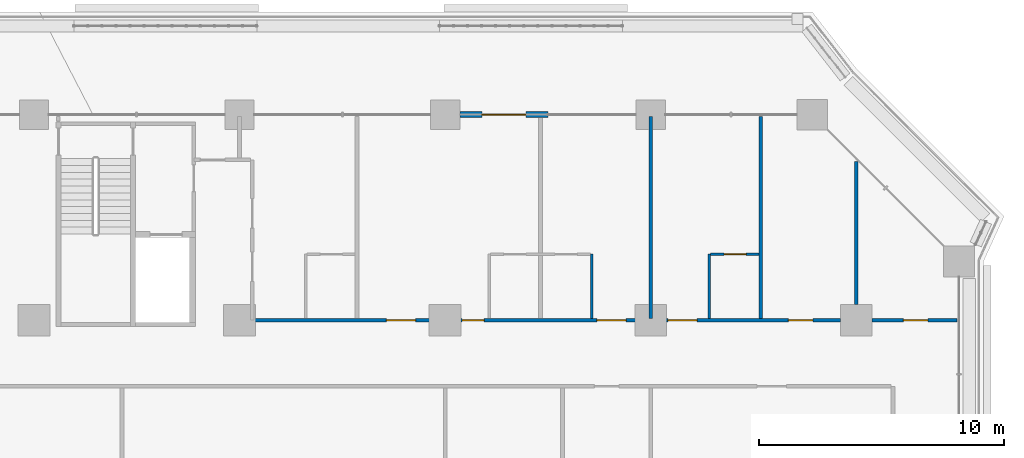
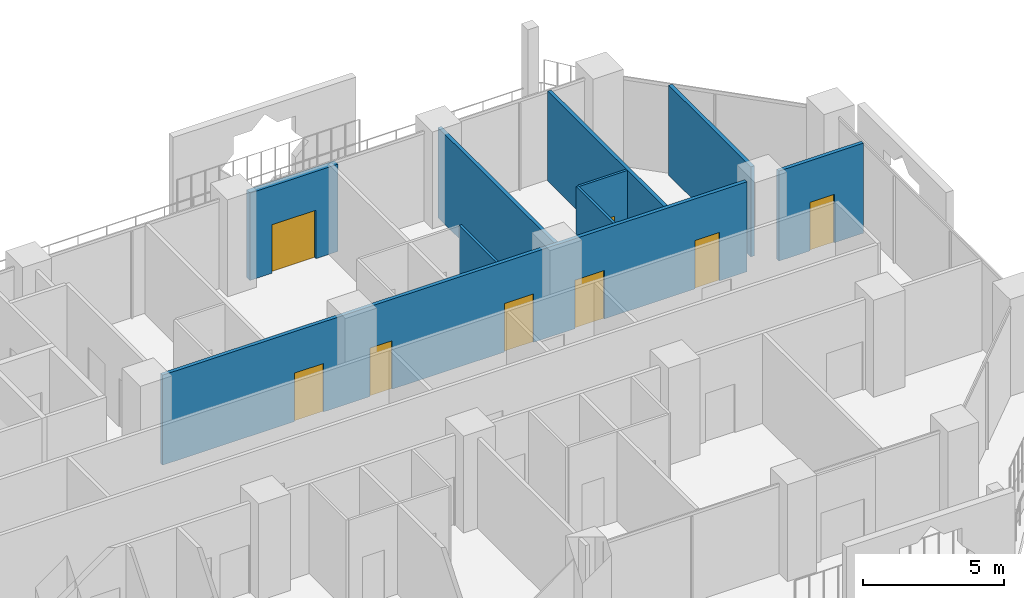
# One storey, part 19 of 28: 9 walls, 8 doors, 8 openings.
"""IFC4 building model written with IfcOpenShell, lengths in metres."""

from ifc_helpers import new_model, si_unit, direction, frame, frame_2d, origin, place, context, subcontext, project, spatial, rectangle, extrude, material, layer, layer_set, type_object, element, fill, save


model = new_model("IFC4")

# Units and contexts
model_context = context("Model", 3, precision=1e-05, world=origin(), true_north=direction((0.0, 1.0)))
body_context = subcontext(model_context, "Body", "Model", "MODEL_VIEW")
ifc_project = project(units=[si_unit("LENGTHUNIT", "METRE"), si_unit("AREAUNIT", "SQUARE_METRE"), si_unit("VOLUMEUNIT", "CUBIC_METRE"), si_unit("PLANEANGLEUNIT", "RADIAN"), si_unit("MASSUNIT", "GRAM", prefix="KILO")], contexts=[model_context])

# Site, building, storey
site_placement = place(None, origin())
site = spatial("IfcSite", under=ifc_project, at=site_placement, CompositionType="ELEMENT")
building_placement = place(site_placement, origin())
building = spatial("IfcBuilding", under=site, at=building_placement, Name="Kawkab Arch Medical Tower", CompositionType="ELEMENT")
storey_placement = place(building_placement, frame((0.0, 0.0, 77.0)))
storey = spatial("IfcBuildingStorey", under=building, at=storey_placement, Name="L17", CompositionType="ELEMENT", Elevation=77.0)

# Wall, opening, door
ifc_material_1 = material(Name="Bronze clad insulated wall panel")
ifc_layer_1 = layer(ifc_material_1, 0.25)
ifc_layer_set_1 = layer_set([ifc_layer_1], Name="Bronze clad insulated wall panel")
wall_type_1 = type_object("IfcWallType", Name="External wall bay 250", PredefinedType="SOLIDWALL", material=ifc_layer_set_1)
wall_1_placement = place(storey_placement, frame((63.0, 0.0, 0.0), z_axis=(0.0, 0.0, 1.0), x_axis=(-1.0, 0.0, 0.0)))
wall_1 = element("IfcWall", 1, at=wall_1_placement, inside=storey, type_object=wall_type_1, Name="External wall bay L17.R11.2.2", PredefinedType="SOLIDWALL", context=body_context, shape_type="SweptSolid", body=[
    extrude(rectangle(XDim=3.60009765625, YDim=0.25, at=frame_2d((1.800048828125, 0.0))), origin(), (0.0, 0.0, 1.0), 3.780029296875),
])
opening_1_placement = place(wall_1_placement, frame((0.89990234375, 0.0, 0.0)))
opening_1 = element("IfcOpeningElement", 2, at=opening_1_placement, cuts=wall_1, Name="Opening W12-702", PredefinedType="OPENING", context=body_context, shape_type="SweptSolid", body=[
    extrude(rectangle(XDim=1.800048828125, YDim=2.10009765625, at=frame_2d((0.89990234375, 1.050048828125))), frame((0.0, 0.135009765625, 0.0), z_axis=(0.0, -1.0, 0.0), x_axis=(1.0, 0.0, 0.0)), (0.0, 0.0, 1.0), 0.27001953125),
])
ifc_material_2 = material(Name="Bronze anodised aluminium door with tinted glass", Category="aluminium")
door_type_1 = type_object("IfcDoorType", Name="Double external door 1800 x 2100", OperationType="DOUBLE_DOOR_SINGLE_SWING", PredefinedType="DOOR", material=ifc_material_2)
door_1_placement = place(opening_1_placement, origin())
door_1 = element("IfcDoor", 3, at=door_1_placement, inside=storey, type_object=door_type_1, Name="External door L17.R11.2.2", OperationType="DOUBLE_DOOR_SINGLE_SWING", OverallHeight=2.10009765625, OverallWidth=1.800048828125, PredefinedType="DOOR", context=body_context, shape_type="SweptSolid", body=[
    extrude(rectangle(XDim=1.800048828125, YDim=2.10009765625, at=frame_2d((0.89990234375, 1.050048828125))), frame((0.0, 0.02490234375, 0.0), z_axis=(0.0, -1.0, 0.0), x_axis=(1.0, 0.0, 0.0)), (0.0, 0.0, 1.0), 0.050048828125),
])
fill(opening_1, door_1)

ifc_material_3 = material(Name="Gypsum board partition on steel studs", Category="steel")
ifc_layer_2 = layer(ifc_material_3, 0.10009765625)
ifc_layer_set_2 = layer_set([ifc_layer_2], Name="Gypsum board partition on steel studs")
wall_type_2 = type_object("IfcWallType", Name="Partition 100", PredefinedType="PARTITIONING", material=ifc_layer_set_2)
wall_2_placement = place(storey_placement, frame((69.64990234375, -5.699951171875, 0.0), z_axis=(0.0, 0.0, 1.0), x_axis=(1.0, 0.0, 0.0)))
wall_2 = element("IfcWall", 4, at=wall_2_placement, inside=storey, type_object=wall_type_2, Name="Partition 100 w018", PredefinedType="PARTITIONING", context=body_context, shape_type="SweptSolid", body=[
    extrude(rectangle(XDim=1.97509765625, YDim=0.10009765625, at=frame_2d((0.987548828125, 0.0))), origin(), (0.0, 0.0, 1.0), 3.89990234375),
])
opening_2_placement = place(wall_2_placement, frame((0.550048828125, 0.0, 0.0)))
opening_2 = element("IfcOpeningElement", 5, at=opening_2_placement, cuts=wall_2, Name="Opening W12-009", PredefinedType="OPENING", context=body_context, shape_type="SweptSolid", body=[
    extrude(rectangle(XDim=0.89990234375, YDim=2.10009765625, at=frame_2d((0.449951171875, 1.050048828125))), frame((0.0, 0.06005859375, 0.0), z_axis=(0.0, -1.0, 0.0), x_axis=(1.0, 0.0, 0.0)), (0.0, 0.0, 1.0), 0.1201171875),
])
ifc_material_4 = material(Name="Timber door leaf", Category="wood")
door_type_2 = type_object("IfcDoorType", Name="Single door 900x2100", OperationType="NOTDEFINED", PredefinedType="DOOR", material=ifc_material_4)
door_2_placement = place(opening_2_placement, origin())
door_2 = element("IfcDoor", 6, at=door_2_placement, inside=storey, type_object=door_type_2, Name="Door W12-009", OperationType="SINGLE_SWING_RIGHT", OverallHeight=2.10009765625, OverallWidth=0.89990234375, PredefinedType="DOOR", context=body_context, shape_type="SweptSolid", body=[
    extrude(rectangle(XDim=0.89990234375, YDim=2.10009765625, at=frame_2d((0.449951171875, 1.050048828125))), frame((0.0, 0.02490234375, 0.0), z_axis=(0.0, -1.0, 0.0), x_axis=(1.0, 0.0, 0.0)), (0.0, 0.0, 1.0), 0.050048828125),
])
fill(opening_2, door_2)

# Walls
for number, where, z_axis, x_axis, name in (
    (7, (64.800048828125, -8.324951171875, 0.0), (0.0, 0.0, 1.0), (0.0, 1.0, 0.0), "Partition 100 w035"),
    (8, (69.60009765625, -8.324951171875, 0.0), (0.0, 0.0, 1.0), (0.0, 1.0, 0.0), "Partition 100 w037"),
):
    element("IfcWall", number, at=place(storey_placement, frame(where, z_axis=z_axis, x_axis=x_axis)), inside=storey, type_object=wall_type_2, Name=name, PredefinedType="PARTITIONING", context=body_context, shape_type="SweptSolid", body=[
        extrude(rectangle(XDim=2.625, YDim=0.10009765625, at=frame_2d((1.3125, 0.0))), origin(), (0.0, 0.0, 1.0), 3.89990234375),
    ])

# Wall, openings, doors
ifc_material_5 = material(Name="Gypsum board partition on steel studs, mineral wool", Category="steel")
ifc_layer_3 = layer(ifc_material_5, 0.14990234375)
ifc_layer_set_3 = layer_set([ifc_layer_3], Name="Gypsum board partition on steel studs, mineral wool")
wall_type_3 = type_object("IfcWallType", Name="Partition 150", PredefinedType="PARTITIONING", material=ifc_layer_set_3)
wall_3_placement = place(storey_placement, frame((51.0, -8.39990234375, 0.0), z_axis=(0.0, 0.0, 1.0), x_axis=(1.0, 0.0, 0.0)))
wall_3 = element("IfcWall", 9, at=wall_3_placement, inside=storey, type_object=wall_type_3, Name="Partition 150 w067", PredefinedType="PARTITIONING", context=body_context, shape_type="SweptSolid", body=[
    extrude(rectangle(XDim=23.949951171875, YDim=0.14990234375, at=frame_2d((11.97509765625, 0.0))), origin(), (0.0, 0.0, 1.0), 3.89990234375),
])
opening_3_placement = place(wall_3_placement, frame((5.39990234375, 0.0, 0.0)))
opening_3 = element("IfcOpeningElement", 10, at=opening_3_placement, cuts=wall_3, Name="Opening W12-050", PredefinedType="OPENING", context=body_context, shape_type="SweptSolid", body=[
    extrude(rectangle(XDim=1.199951171875, YDim=2.10009765625, at=frame_2d((0.60009765625, 1.050048828125))), frame((0.0, 0.0849609375, 0.0), z_axis=(0.0, -1.0, 0.0), x_axis=(1.0, 0.0, 0.0)), (0.0, 0.0, 1.0), 0.169921875),
])
opening_4_placement = place(wall_3_placement, frame((8.5, 0.0, 0.0)))
opening_4 = element("IfcOpeningElement", 11, at=opening_4_placement, cuts=wall_3, Name="Opening W12-025", PredefinedType="OPENING", context=body_context, shape_type="SweptSolid", body=[
    extrude(rectangle(XDim=0.89990234375, YDim=2.10009765625, at=frame_2d((0.449951171875, 1.050048828125))), frame((0.0, 0.0849609375, 0.0), z_axis=(0.0, -1.0, 0.0), x_axis=(1.0, 0.0, 0.0)), (0.0, 0.0, 1.0), 0.169921875),
])
opening_5_placement = place(wall_3_placement, frame((14.0, 0.0, 0.0)))
opening_5 = element("IfcOpeningElement", 12, at=opening_5_placement, cuts=wall_3, Name="Opening W12-051", PredefinedType="OPENING", context=body_context, shape_type="SweptSolid", body=[
    extrude(rectangle(XDim=1.199951171875, YDim=2.10009765625, at=frame_2d((0.60009765625, 1.050048828125))), frame((0.0, 0.0849609375, 0.0), z_axis=(0.0, -1.0, 0.0), x_axis=(1.0, 0.0, 0.0)), (0.0, 0.0, 1.0), 0.169921875),
])
opening_6_placement = place(wall_3_placement, frame((16.89990234375, 0.0, 0.0)))
opening_6 = element("IfcOpeningElement", 13, at=opening_6_placement, cuts=wall_3, Name="Opening W12-052", PredefinedType="OPENING", context=body_context, shape_type="SweptSolid", body=[
    extrude(rectangle(XDim=1.199951171875, YDim=2.10009765625, at=frame_2d((0.60009765625, 1.050048828125))), frame((0.0, 0.0849609375, 0.0), z_axis=(0.0, -1.0, 0.0), x_axis=(1.0, 0.0, 0.0)), (0.0, 0.0, 1.0), 0.169921875),
])
opening_7_placement = place(wall_3_placement, frame((21.824951171875, 0.0, 0.0)))
opening_7 = element("IfcOpeningElement", 14, at=opening_7_placement, cuts=wall_3, Name="Opening W12-030", PredefinedType="OPENING", context=body_context, shape_type="SweptSolid", body=[
    extrude(rectangle(XDim=1.0, YDim=2.10009765625, at=frame_2d((0.5, 1.050048828125))), frame((0.0, 0.0849609375, 0.0), z_axis=(0.0, -1.0, 0.0), x_axis=(1.0, 0.0, 0.0)), (0.0, 0.0, 1.0), 0.169921875),
])
ifc_material_6 = material(Name="Timber door leaf", Category="wood")
door_type_3 = type_object("IfcDoorType", Name="Single door 1000x2100", OperationType="NOTDEFINED", PredefinedType="DOOR", material=ifc_material_6)
door_3_placement = place(opening_7_placement, origin())
door_3 = element("IfcDoor", 15, at=door_3_placement, inside=storey, type_object=door_type_3, Name="Door W12-030", OperationType="SINGLE_SWING_RIGHT", OverallHeight=2.10009765625, OverallWidth=1.0, PredefinedType="DOOR", context=body_context, shape_type="SweptSolid", body=[
    extrude(rectangle(XDim=1.0, YDim=2.10009765625, at=frame_2d((0.5, 1.050048828125))), frame((0.0, 0.02490234375, 0.0), z_axis=(0.0, -1.0, 0.0), x_axis=(1.0, 0.0, 0.0)), (0.0, 0.0, 1.0), 0.050048828125),
])
fill(opening_7, door_3)
ifc_material_7 = material(Name="Hollow metal door leaf")
door_type_4 = type_object("IfcDoorType", Name="Single door 1200x2100 FD30S", OperationType="NOTDEFINED", PredefinedType="DOOR", material=ifc_material_7)
door_4_placement = place(opening_3_placement, origin())
door_4 = element("IfcDoor", 16, at=door_4_placement, inside=storey, type_object=door_type_4, Name="Door W12-050", OperationType="SINGLE_SWING_LEFT", OverallHeight=2.10009765625, OverallWidth=1.199951171875, PredefinedType="DOOR", context=body_context, shape_type="SweptSolid", body=[
    extrude(rectangle(XDim=1.199951171875, YDim=2.10009765625, at=frame_2d((0.60009765625, 1.050048828125))), frame((0.0, 0.02490234375, 0.0), z_axis=(0.0, -1.0, 0.0), x_axis=(1.0, 0.0, 0.0)), (0.0, 0.0, 1.0), 0.050048828125),
])
fill(opening_3, door_4)
door_5_placement = place(opening_5_placement, origin())
door_5 = element("IfcDoor", 17, at=door_5_placement, inside=storey, type_object=door_type_4, Name="Door W12-051", OperationType="SINGLE_SWING_RIGHT", OverallHeight=2.10009765625, OverallWidth=1.199951171875, PredefinedType="DOOR", context=body_context, shape_type="SweptSolid", body=[
    extrude(rectangle(XDim=1.199951171875, YDim=2.10009765625, at=frame_2d((0.60009765625, 1.050048828125))), frame((0.0, 0.02490234375, 0.0), z_axis=(0.0, -1.0, 0.0), x_axis=(1.0, 0.0, 0.0)), (0.0, 0.0, 1.0), 0.050048828125),
])
fill(opening_5, door_5)
door_6_placement = place(opening_6_placement, origin())
door_6 = element("IfcDoor", 18, at=door_6_placement, inside=storey, type_object=door_type_4, Name="Door W12-052", OperationType="SINGLE_SWING_RIGHT", OverallHeight=2.10009765625, OverallWidth=1.199951171875, PredefinedType="DOOR", context=body_context, shape_type="SweptSolid", body=[
    extrude(rectangle(XDim=1.199951171875, YDim=2.10009765625, at=frame_2d((0.60009765625, 1.050048828125))), frame((0.0, 0.02490234375, 0.0), z_axis=(0.0, -1.0, 0.0), x_axis=(1.0, 0.0, 0.0)), (0.0, 0.0, 1.0), 0.050048828125),
])
fill(opening_6, door_6)
ifc_material_8 = material(Name="Hollow metal door leaf")
door_type_5 = type_object("IfcDoorType", Name="Single door 900x2100 FD30S", OperationType="NOTDEFINED", PredefinedType="DOOR", material=ifc_material_8)
door_7_placement = place(opening_4_placement, origin())
door_7 = element("IfcDoor", 19, at=door_7_placement, inside=storey, type_object=door_type_5, Name="Door W12-025", OperationType="SINGLE_SWING_LEFT", OverallHeight=2.10009765625, OverallWidth=0.89990234375, PredefinedType="DOOR", context=body_context, shape_type="SweptSolid", body=[
    extrude(rectangle(XDim=0.89990234375, YDim=2.10009765625, at=frame_2d((0.449951171875, 1.050048828125))), frame((0.0, 0.02490234375, 0.0), z_axis=(0.0, -1.0, 0.0), x_axis=(1.0, 0.0, 0.0)), (0.0, 0.0, 1.0), 0.050048828125),
])
fill(opening_4, door_7)

# Wall, opening, door
wall_4_placement = place(storey_placement, frame((76.25, -8.39990234375, 0.0), z_axis=(0.0, 0.0, 1.0), x_axis=(1.0, 0.0, 0.0)))
wall_4 = element("IfcWall", 20, at=wall_4_placement, inside=storey, type_object=wall_type_3, Name="Partition 150 w068", PredefinedType="PARTITIONING", context=body_context, shape_type="SweptSolid", body=[
    extrude(rectangle(XDim=3.469970703125, YDim=0.14990234375, at=frame_2d((1.73486328125, 0.0))), origin(), (0.0, 0.0, 1.0), 3.89990234375),
])
opening_8_placement = place(wall_4_placement, frame((1.27490234375, 0.0, 0.0)))
opening_8 = element("IfcOpeningElement", 21, at=opening_8_placement, cuts=wall_4, Name="Opening W12-034", PredefinedType="OPENING", context=body_context, shape_type="SweptSolid", body=[
    extrude(rectangle(XDim=1.0, YDim=2.10009765625, at=frame_2d((0.5, 1.050048828125))), frame((0.0, 0.0849609375, 0.0), z_axis=(0.0, -1.0, 0.0), x_axis=(1.0, 0.0, 0.0)), (0.0, 0.0, 1.0), 0.169921875),
])
ifc_material_9 = material(Name="Hollow metal door leaf")
door_type_6 = type_object("IfcDoorType", Name="Single door 1000x2100 FD30S", OperationType="NOTDEFINED", PredefinedType="DOOR", material=ifc_material_9)
door_8_placement = place(opening_8_placement, origin())
door_8 = element("IfcDoor", 22, at=door_8_placement, inside=storey, type_object=door_type_6, Name="Door W12-034", OperationType="SINGLE_SWING_RIGHT", OverallHeight=2.10009765625, OverallWidth=1.0, PredefinedType="DOOR", context=body_context, shape_type="SweptSolid", body=[
    extrude(rectangle(XDim=1.0, YDim=2.10009765625, at=frame_2d((0.5, 1.050048828125))), frame((0.0, 0.02490234375, 0.0), z_axis=(0.0, -1.0, 0.0), x_axis=(1.0, 0.0, 0.0)), (0.0, 0.0, 1.0), 0.050048828125),
])
fill(opening_8, door_8)

# Walls
for number, where, z_axis, x_axis, name in (
    (23, (67.199951171875, -8.324951171875, 0.0), (0.0, 0.0, 1.0), (0.0, 1.0, 0.0), "Partition 150 w102"),
    (24, (71.699951171875, -8.324951171875, 0.0), (0.0, 0.0, 1.0), (0.0, 1.0, 0.0), "Partition 150 w104"),
):
    element("IfcWall", number, at=place(storey_placement, frame(where, z_axis=z_axis, x_axis=x_axis)), inside=storey, type_object=wall_type_3, Name=name, PredefinedType="PARTITIONING", context=body_context, shape_type="SweptSolid", body=[
        extrude(rectangle(XDim=8.244873046875, YDim=0.14990234375, at=frame_2d((4.12255859375, 0.0))), origin(), (0.0, 0.0, 1.0), 3.89990234375),
    ])
wall_5_placement = place(storey_placement, frame((75.60009765625, -7.75, 0.0), z_axis=(0.0, 0.0, 1.0), x_axis=(0.0, 1.0, 0.0)))
element("IfcWall", 25, at=wall_5_placement, inside=storey, type_object=wall_type_3, Name="Partition 150 w105", PredefinedType="PARTITIONING", context=body_context, shape_type="SweptSolid", body=[
    extrude(rectangle(XDim=5.8369140625, YDim=0.14990234375, at=frame_2d((2.91845703125, 0.0))), origin(), (0.0, 0.0, 1.0), 3.89990234375),
])

save(model, "model.ifc")
